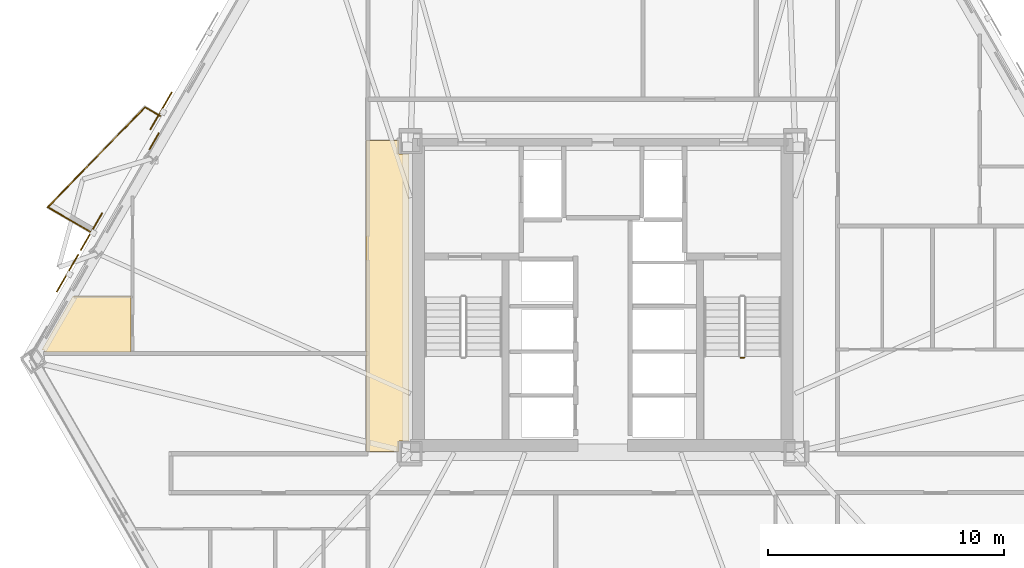
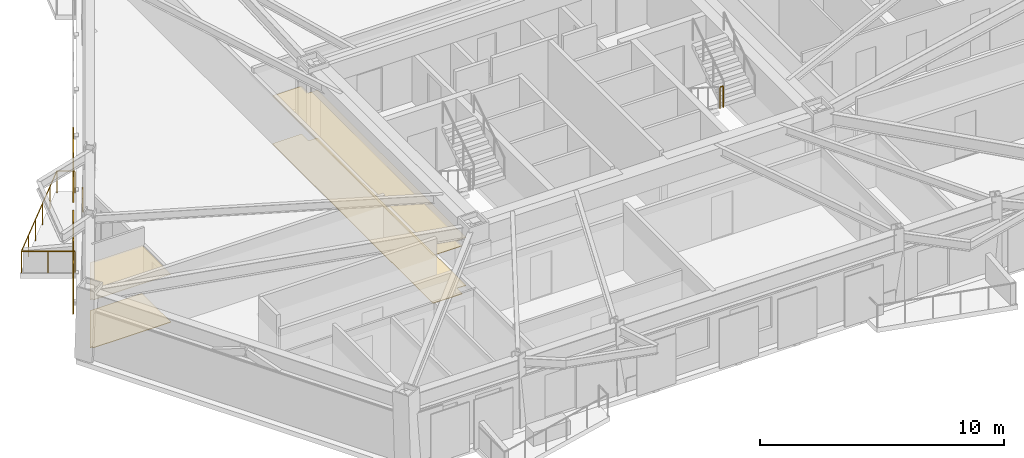
# One storey, part 10 of 13: 5 coverings, 4 railings, 3 shading devices.
"""IFC4 building model written with IfcOpenShell, lengths in metres."""

from ifc_helpers import new_model, si_unit, direction, frame, origin, origin_2d, place, context, subcontext, project, spatial, polyline, rectangle, circle, outline, extrude, material, layer, layer_set, type_object, element, save


model = new_model("IFC4")

# Units and contexts
model_context = context("Model", 3, precision=1e-05, world=origin(), true_north=direction((0.0, 1.0)))
body_context = subcontext(model_context, "Body", "Model", "MODEL_VIEW")
ifc_project = project(units=[si_unit("LENGTHUNIT", "METRE"), si_unit("AREAUNIT", "SQUARE_METRE"), si_unit("VOLUMEUNIT", "CUBIC_METRE"), si_unit("PLANEANGLEUNIT", "RADIAN"), si_unit("MASSUNIT", "GRAM", prefix="KILO")], contexts=[model_context])

# Site, building, storey
site_placement = place(None, origin())
site = spatial("IfcSite", under=ifc_project, at=site_placement, CompositionType="ELEMENT")
building_placement = place(site_placement, origin())
building = spatial("IfcBuilding", under=site, at=building_placement, Name="Oramaril Tower", CompositionType="ELEMENT")
storey_placement = place(building_placement, frame((0.0, 0.0, 41.699951171875)))
storey = spatial("IfcBuildingStorey", under=building, at=storey_placement, Name="L10", CompositionType="ELEMENT", Elevation=41.699951171875)

# Coverings
ifc_material_1 = material(Name="Mineral Fibre Acoustic Ceiling")
ifc_layer_1 = layer(ifc_material_1, 0.02001953125)
ifc_layer_set_1 = layer_set([ifc_layer_1], Name="CVT-CEIL")
covering_type_1 = type_object("IfcCoveringType", Name="CVT-CEIL", PredefinedType="CEILING", material=ifc_layer_set_1)
covering_1_placement = place(storey_placement, frame((0.0, 0.0, 2.400146484375)))
element("IfcCovering", 1, at=covering_1_placement, inside=storey, type_object=covering_type_1, Name="L10 Acoustic Suspended Ceiling 3", PredefinedType="CEILING", context=body_context, shape_type="SweptSolid", body=[
    extrude(outline(polyline([(28.85498046875, 23.655029296875), (29.280029296875, 23.655029296875), (29.280029296875, 11.4951171875), (28.85498046875, 11.4951171875), (28.85498046875, 11.050048828125), (27.469970703125, 11.050048828125), (27.469970703125, 24.219970703125), (28.85498046875, 24.219970703125), (28.85498046875, 23.655029296875)])), origin(), (0.0, 0.0, 1.0), 0.02001953125),
])
covering_2_placement = place(storey_placement, frame((0.0, 0.0, 2.400146484375)))
element("IfcCovering", 2, at=covering_2_placement, inside=storey, type_object=covering_type_1, Name="L10 Acoustic Suspended Ceiling 16", PredefinedType="CEILING", context=body_context, shape_type="SweptSolid", body=[
    extrude(outline(polyline([(13.835693359375, 15.341064453125), (13.71875, 15.341064453125), (15.039794921875, 17.62890625), (17.505859375, 17.62890625), (17.505859375, 15.261962890625), (13.835693359375, 15.261962890625), (13.835693359375, 15.341064453125)])), origin(), (0.0, 0.0, 1.0), 0.02001953125),
])
ifc_material_2 = material(Name="Warm Cream Limestone", Category="masonry")
ifc_layer_2 = layer(ifc_material_2, 0.050048828125)
ifc_layer_set_2 = layer_set([ifc_layer_2], Name="CVT-CLD")
covering_type_2 = type_object("IfcCoveringType", Name="CVT-CLD", PredefinedType="CLADDING", material=ifc_layer_set_2)
covering_3_placement = place(storey_placement, frame((18.4833984375, 24.19580078125, 0.0400390625), z_axis=(0.0, 0.0, 1.0), x_axis=(-0.5, -0.866025403784, 0.0)))
element("IfcCovering", 3, at=covering_3_placement, inside=storey, type_object=covering_type_2, Name="L10 Warm Cream Limestone Spandrel Cladding", PredefinedType="CLADDING", context=body_context, shape_type="SweptSolid", body=[
    extrude(rectangle(XDim=0.800048828125, YDim=0.050048828125, at=origin_2d()), origin(), (0.0, 0.0, 1.0), 0.679931640625),
])
ifc_material_3 = material(Name="Honed Quartzite Stone Flooring", Category="masonry")
ifc_layer_3 = layer(ifc_material_3, 0.02490234375)
ifc_layer_set_3 = layer_set([ifc_layer_3], Name="CVT-FLR")
covering_type_3 = type_object("IfcCoveringType", Name="CVT-FLR", PredefinedType="FLOORING", material=ifc_layer_set_3)
covering_4_placement = place(storey_placement, origin())
element("IfcCovering", 4, at=covering_4_placement, inside=storey, type_object=covering_type_3, Name="L10 Honed Stone Floor Finish 3", PredefinedType="FLOORING", context=body_context, shape_type="SweptSolid", body=[
    extrude(outline(polyline([(28.85498046875, 23.655029296875), (29.280029296875, 23.655029296875), (29.280029296875, 11.4951171875), (28.85498046875, 11.4951171875), (28.85498046875, 11.050048828125), (27.469970703125, 11.050048828125), (27.469970703125, 24.219970703125), (28.85498046875, 24.219970703125), (28.85498046875, 23.655029296875)])), origin(), (0.0, 0.0, 1.0), 0.025146484375),
])
covering_5_placement = place(storey_placement, origin())
element("IfcCovering", 5, at=covering_5_placement, inside=storey, type_object=covering_type_3, Name="L10 Honed Stone Floor Finish 16", PredefinedType="FLOORING", context=body_context, shape_type="SweptSolid", body=[
    extrude(outline(polyline([(13.835693359375, 15.341064453125), (13.71875, 15.341064453125), (15.039794921875, 17.62890625), (17.505859375, 17.62890625), (17.505859375, 15.261962890625), (13.835693359375, 15.261962890625), (13.835693359375, 15.341064453125)])), origin(), (0.0, 0.0, 1.0), 0.025146484375),
])

# Railings
ifc_material_4 = material(Name="Stainless Steel 316L", Category="steel")
railing_type = type_object("IfcRailingType", Name="RLT-GRD", PredefinedType="GUARDRAIL", material=ifc_material_4)
railing_1_placement = place(storey_placement, frame((15.871337890625, 20.301513671875, 0.0)))
element("IfcRailing", 6, at=railing_1_placement, inside=storey, type_object=railing_type, Name="L10 Balcony Guardrail L10-BAL-NW2.1", PredefinedType="GUARDRAIL", context=body_context, shape_type="SweptSolid", body=[
    extrude(circle(Radius=0.02392578125, at=origin_2d()), frame((0.0, 0.0, 1.076171875), z_axis=(-0.866048343933, 0.499960264392, 0.0), x_axis=(-0.499960264392, -0.866048343933, 0.0)), (0.0, 0.0, 1.0), 2.192138671875),
    extrude(circle(Radius=0.02099609375, at=origin_2d()), origin(), (0.0, 0.0, 1.0), 1.052001953125),
    extrude(circle(Radius=0.02099609375, at=origin_2d()), frame((-0.94921875, 0.5478515625, 0.0)), (0.0, 0.0, 1.0), 1.052001953125),
    extrude(circle(Radius=0.02099609375, at=origin_2d()), frame((-1.8984375, 1.095947265625, 0.0)), (0.0, 0.0, 1.0), 1.052001953125),
])
railing_2_placement = place(storey_placement, frame((13.972900390625, 21.3974609375, 0.0)))
element("IfcRailing", 7, at=railing_2_placement, inside=storey, type_object=railing_type, Name="L10 Balcony Guardrail L10-BAL-NW2.2", PredefinedType="GUARDRAIL", context=body_context, shape_type="SweptSolid", body=[
    extrude(circle(Radius=0.02392578125, at=origin_2d()), frame((0.0, 0.0, 1.076171875), z_axis=(0.697186915353, 0.716889395277, 0.0), x_axis=(-0.716889395277, 0.697186915353, 0.0)), (0.0, 0.0, 1.0), 5.91064453125),
    extrude(circle(Radius=0.02099609375, at=origin_2d()), origin(), (0.0, 0.0, 1.0), 1.052001953125),
    extrude(circle(Radius=0.02099609375, at=origin_2d()), frame((0.82421875, 0.847412109375, 0.0)), (0.0, 0.0, 1.0), 1.052001953125),
    extrude(circle(Radius=0.02099609375, at=origin_2d()), frame((1.6484375, 1.69482421875, 0.0)), (0.0, 0.0, 1.0), 1.052001953125),
    extrude(circle(Radius=0.02099609375, at=origin_2d()), frame((2.472412109375, 2.54248046875, 0.0)), (0.0, 0.0, 1.0), 1.052001953125),
    extrude(circle(Radius=0.02099609375, at=origin_2d()), frame((3.296630859375, 3.389892578125, 0.0)), (0.0, 0.0, 1.0), 1.052001953125),
    extrude(circle(Radius=0.02099609375, at=origin_2d()), frame((4.120849609375, 4.2373046875, 0.0)), (0.0, 0.0, 1.0), 1.052001953125),
])
railing_3_placement = place(storey_placement, frame((18.09375, 25.634765625, 0.0)))
element("IfcRailing", 8, at=railing_3_placement, inside=storey, type_object=railing_type, Name="L10 Balcony Guardrail L10-BAL-NW2.3", PredefinedType="GUARDRAIL", context=body_context, shape_type="SweptSolid", body=[
    extrude(circle(Radius=0.02392578125, at=origin_2d()), frame((0.0, 0.0, 1.076171875), z_axis=(0.865966403178, -0.500102178127, 0.0), x_axis=(0.500102178127, 0.865966403178, 0.0)), (0.0, 0.0, 1.0), 0.741943359375),
    extrude(circle(Radius=0.02099609375, at=origin_2d()), origin(), (0.0, 0.0, 1.0), 1.052001953125),
    extrude(circle(Radius=0.02099609375, at=origin_2d()), frame((0.642578125, -0.37109375, 0.0)), (0.0, 0.0, 1.0), 1.052001953125),
])
railing_4_placement = place(storey_placement, frame((43.340087890625, 15.02001953125, 1.800048828125)))
element("IfcRailing", 9, at=railing_4_placement, inside=storey, type_object=railing_type, Name="L10 ST-2 stair guard 2", PredefinedType="GUARDRAIL", context=body_context, shape_type="SweptSolid", body=[
    extrude(circle(Radius=0.02392578125, at=origin_2d()), frame((0.0, 0.0, 1.076171875), z_axis=(1.0, 0.0, 0.0), x_axis=(0.0, 1.0, 0.0)), (0.0, 0.0, 1.0), 0.14990234375),
    extrude(circle(Radius=0.02099609375, at=origin_2d()), origin(), (0.0, 0.0, 1.0), 1.052001953125),
    extrude(circle(Radius=0.02099609375, at=origin_2d()), frame((0.14990234375, 0.0, 0.0)), (0.0, 0.0, 1.0), 1.052001953125),
])

# Shading devices
for number, where, z_axis, x_axis, name in (
    (10, (18.777099609375, 25.478515625, -0.02001953125), (0.0, 0.0, 1.0), (-0.5, -0.866025403784, 0.0), "L10 Perforated Ceramic Solar Screen"),
    (11, (14.80810546875, 18.60400390625, -0.02001953125), (0.0, 0.0, 1.0), (-0.5, -0.866025403784, 0.0), "L10 Perforated Ceramic Solar Screen"),
    (12, (15.82177734375, 20.359619140625, -0.02001953125), (0.0, 0.0, 1.0), (-0.5, -0.866025403784, 0.0), "L10 Perforated Ceramic Solar Screen"),
):
    element("IfcShadingDevice", number, at=place(storey_placement, frame(where, z_axis=z_axis, x_axis=x_axis)), inside=storey, Name=name, ObjectType="SCREEN", PredefinedType="USERDEFINED", context=body_context, shape_type="SweptSolid", body=[
        extrude(rectangle(XDim=1.8330078125, YDim=0.050048828125, at=origin_2d()), origin(), (0.0, 0.0, 1.0), 2.493896484375),
    ])

save(model, "model.ifc")
